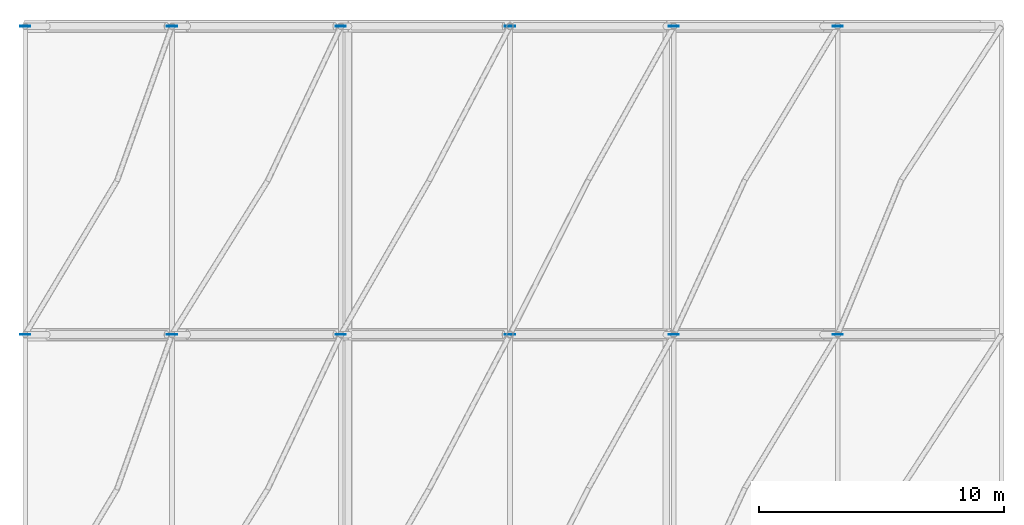
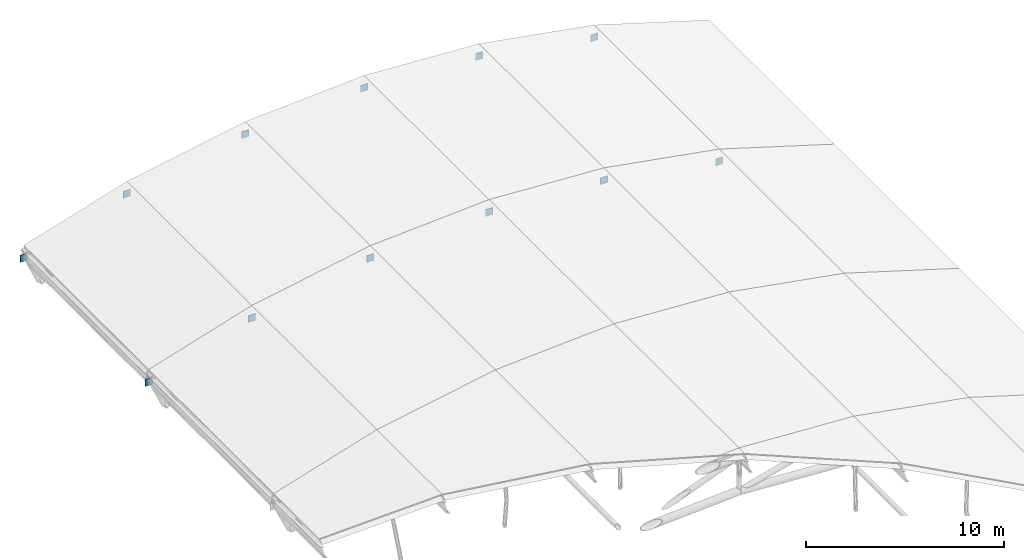
# One storey, part 17 of 18: 12 plates.
"""IFC4 building model written with IfcOpenShell, lengths in metres."""

from ifc_helpers import new_model, si_unit, derived_unit, direction, frame, origin, origin_2d, place, context, subcontext, project, spatial, rectangle, extrude, material, layer, layer_set, type_object, element, save


model = new_model("IFC4")

# Units and contexts
model_context = context("Model", 3, precision=1e-05, world=origin(), true_north=direction((0.0, 1.0)))
body_context = subcontext(model_context, "Body", "Model", "MODEL_VIEW")
ifc_project = project(units=[si_unit("LENGTHUNIT", "METRE"), si_unit("AREAUNIT", "SQUARE_METRE"), si_unit("VOLUMEUNIT", "CUBIC_METRE"), si_unit("PLANEANGLEUNIT", "RADIAN"), si_unit("MASSUNIT", "GRAM", prefix="KILO"), derived_unit("THERMALTRANSMITTANCEUNIT", [(si_unit("MASSUNIT", "GRAM", prefix="KILO"), 1), (si_unit("TIMEUNIT", "SECOND"), -3), (si_unit("THERMODYNAMICTEMPERATUREUNIT", "KELVIN"), -1)])], contexts=[model_context])

# Site, building, storey
site_placement = place(None, origin())
site = spatial("IfcSite", under=ifc_project, at=site_placement, CompositionType="ELEMENT")
building_placement = place(site_placement, origin())
building = spatial("IfcBuilding", under=site, at=building_placement, Name="Valcora Ridge Arena", CompositionType="ELEMENT")
storey_placement = place(building_placement, frame((0.0, 0.0, 39.800048828125)))
storey = spatial("IfcBuildingStorey", under=building, at=storey_placement, Name="RF", CompositionType="ELEMENT", Elevation=39.800048828125)

# Plates
ifc_material = material(Name="Steel ASTM A572 Grade 50", Category="steel")
ifc_layer = layer(ifc_material, 0.031982421875, Name="Steel ASTM A572 Grade 50")
ifc_layer_set = layer_set([ifc_layer], Name="Steel ASTM A572 Grade 50")
plate_type = type_object("IfcPlateType", Name="TY-PLATE-PL-NODE-32", PredefinedType="USERDEFINED", material=ifc_layer_set)
for number, where, z_axis, x_axis, name in (
    (1, (36.0, 95.60009765625, -2.85009765625), (0.0, 0.0, 1.0), (1.0, 0.0, 0.0), "PL-NODE-32 SF-GP-0087"),
    (2, (42.0, 95.60009765625, -1.012939453125), (0.0, 0.0, 1.0), (1.0, 0.0, 0.0), "PL-NODE-32 SF-GP-0088"),
    (3, (48.89990234375, 95.60009765625, 0.25341796875), (0.0, 0.0, 1.0), (1.0, 0.0, 0.0), "PL-NODE-32 SF-GP-0089"),
    (4, (55.81005859375, 95.60009765625, 0.669921875), (0.0, 0.0, 1.0), (1.0, 0.0, 0.0), "PL-NODE-32 SF-GP-0090"),
    (5, (62.5, 95.60009765625, 0.279296875), (0.0, 0.0, 1.0), (1.0, 0.0, 0.0), "PL-NODE-32 SF-GP-0091"),
    (6, (69.199951171875, 95.60009765625, -0.910888671875), (0.0, 0.0, 1.0), (1.0, 0.0, 0.0), "PL-NODE-32 SF-GP-0092"),
    (7, (36.0, 108.199951171875, -2.85009765625), (0.0, 0.0, 1.0), (1.0, 0.0, 0.0), "PL-NODE-32 SF-GP-0101"),
    (8, (42.0, 108.199951171875, -1.012939453125), (0.0, 0.0, 1.0), (1.0, 0.0, 0.0), "PL-NODE-32 SF-GP-0102"),
    (9, (48.89990234375, 108.199951171875, 0.25341796875), (0.0, 0.0, 1.0), (1.0, 0.0, 0.0), "PL-NODE-32 SF-GP-0103"),
    (10, (55.81005859375, 108.199951171875, 0.669921875), (0.0, 0.0, 1.0), (1.0, 0.0, 0.0), "PL-NODE-32 SF-GP-0104"),
    (11, (62.5, 108.199951171875, 0.279296875), (0.0, 0.0, 1.0), (1.0, 0.0, 0.0), "PL-NODE-32 SF-GP-0105"),
    (12, (69.199951171875, 108.199951171875, -0.910888671875), (0.0, 0.0, 1.0), (1.0, 0.0, 0.0), "PL-NODE-32 SF-GP-0106"),
):
    element("IfcPlate", number, at=place(storey_placement, frame(where, z_axis=z_axis, x_axis=x_axis)), inside=storey, type_object=plate_type, Name=name, ObjectType="GUSSET_PLATE", PredefinedType="USERDEFINED", context=body_context, shape_type="SweptSolid", body=[
        extrude(rectangle(XDim=0.419921875, YDim=0.031982421875, at=origin_2d()), origin(), (0.0, 0.0, 1.0), 0.419921875),
    ])

save(model, "model.ifc")
